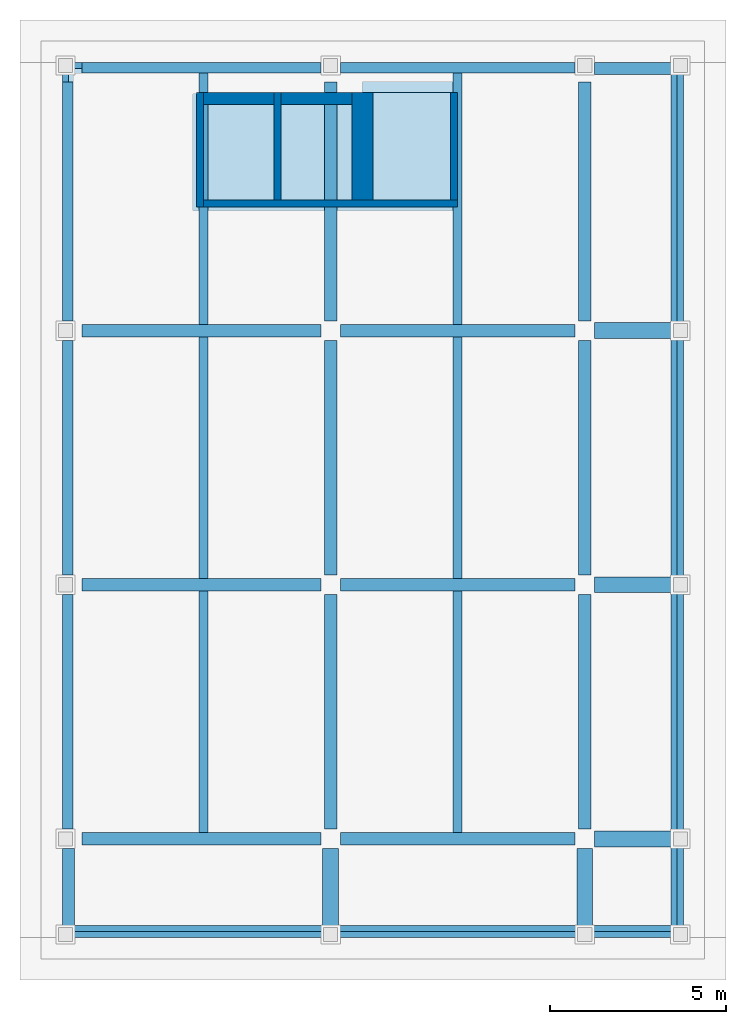
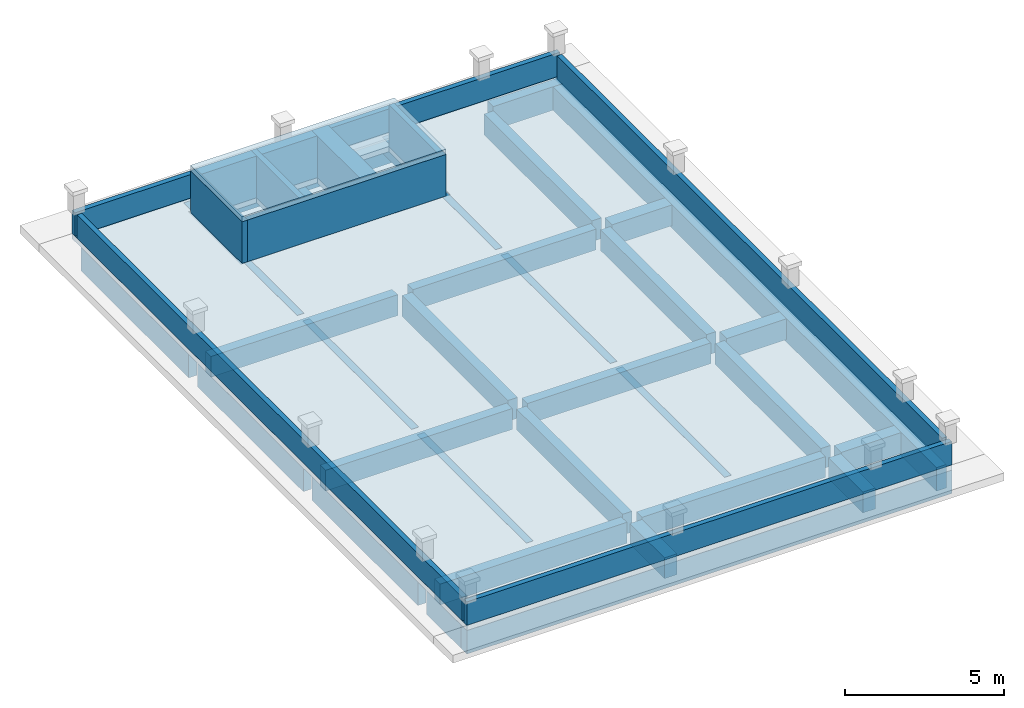
# One storey, part 1 of 2: 32 beams, 11 walls, 2 slabs.
"""IFC4 building model written with IfcOpenShell, lengths in metres."""

from ifc_helpers import new_model, si_unit, direction, frame, frame_2d, origin, origin_2d, place, context, subcontext, project, spatial, polyline, rectangle, outline, extrude, material, layer, layer_set, material_profile, profile_set, type_object, element, save


model = new_model("IFC4")

# Units and contexts
model_context = context("Model", 3, precision=1e-05, world=origin(), true_north=direction((0.0, 1.0)))
body_context = subcontext(model_context, "Body", "Model", "MODEL_VIEW")
ifc_project = project(units=[si_unit("LENGTHUNIT", "METRE"), si_unit("AREAUNIT", "SQUARE_METRE"), si_unit("VOLUMEUNIT", "CUBIC_METRE"), si_unit("PLANEANGLEUNIT", "RADIAN"), si_unit("MASSUNIT", "GRAM", prefix="KILO")], contexts=[model_context])

# Site, building, storey
site_placement = place(None, origin())
site = spatial("IfcSite", under=ifc_project, at=site_placement, CompositionType="ELEMENT")
building_placement = place(site_placement, origin())
building = spatial("IfcBuilding", under=site, at=building_placement, Name="Ussher Court Research Institute", CompositionType="ELEMENT")
storey_placement = place(building_placement, frame((0.0, 0.0, 45.60009765625)))
storey = spatial("IfcBuildingStorey", under=building, at=storey_placement, Name="ROOF", CompositionType="ELEMENT", Elevation=45.60009765625)

# Beams
ifc_material_1 = material(Name="Concrete C35/45", Category="concrete")
ifc_material_profile_1 = material_profile(ifc_material_1, rectangle(XDim=0.25, YDim=0.60009765625, at=origin_2d()), Name="RC 250x600")
ifc_profile_set_1 = profile_set([ifc_material_profile_1], Name="Concrete C35/45")
beam_type_1 = type_object("IfcBeamType", Name="RC 250x600 beam", PredefinedType="BEAM", material=ifc_profile_set_1)
for number, where, z_axis, x_axis, name in (
    (1, (85.800048828125, 11.375, -0.300048828125), (0.0, 1.0, 0.0), (-1.0, 0.0, 0.0), "B14 V4 ROOF-01"),
    (2, (85.800048828125, 18.574951171875, -0.300048828125), (0.0, 1.0, 0.0), (-1.0, 0.0, 0.0), "B14 V4 ROOF-02"),
):
    element("IfcBeam", number, at=place(storey_placement, frame(where, z_axis=z_axis, x_axis=x_axis)), inside=storey, type_object=beam_type_1, Name=name, PredefinedType="BEAM", context=body_context, shape_type="SweptSolid", body=[
        extrude(rectangle(XDim=0.25, YDim=0.60009765625, at=origin_2d()), origin(), (0.0, 0.0, 1.0), 6.85009765625),
    ])
beam_1_placement = place(storey_placement, frame((85.800048828125, 25.77490234375, -0.300048828125), z_axis=(0.0, 1.0, 0.0), x_axis=(-1.0, 0.0, 0.0)))
element("IfcBeam", 3, at=beam_1_placement, inside=storey, type_object=beam_type_1, Name="B14 V4 ROOF-03", PredefinedType="BEAM", context=body_context, shape_type="SweptSolid", body=[
    extrude(rectangle(XDim=0.25, YDim=0.60009765625, at=origin_2d()), origin(), (0.0, 0.0, 1.0), 7.125),
])
for number, where, z_axis, x_axis, name in (
    (4, (93.0, 11.375, -0.300048828125), (0.0, 1.0, 0.0), (-1.0, 0.0, 0.0), "B14 V4 ROOF-04"),
    (5, (93.0, 18.574951171875, -0.300048828125), (0.0, 1.0, 0.0), (-1.0, 0.0, 0.0), "B14 V4 ROOF-05"),
):
    element("IfcBeam", number, at=place(storey_placement, frame(where, z_axis=z_axis, x_axis=x_axis)), inside=storey, type_object=beam_type_1, Name=name, PredefinedType="BEAM", context=body_context, shape_type="SweptSolid", body=[
        extrude(rectangle(XDim=0.25, YDim=0.60009765625, at=origin_2d()), origin(), (0.0, 0.0, 1.0), 6.85009765625),
    ])
beam_2_placement = place(storey_placement, frame((93.0, 25.77490234375, -0.300048828125), z_axis=(0.0, 1.0, 0.0), x_axis=(-1.0, 0.0, 0.0)))
element("IfcBeam", 6, at=beam_2_placement, inside=storey, type_object=beam_type_1, Name="B14 V4 ROOF-06", PredefinedType="BEAM", context=body_context, shape_type="SweptSolid", body=[
    extrude(rectangle(XDim=0.25, YDim=0.60009765625, at=origin_2d()), origin(), (0.0, 0.0, 1.0), 7.125),
])
ifc_material_2 = material(Name="Concrete C35/45", Category="concrete")
ifc_material_profile_2 = material_profile(ifc_material_2, rectangle(XDim=0.300048828125, YDim=0.89990234375, at=origin_2d()), Name="RC 300x900")
ifc_profile_set_2 = profile_set([ifc_material_profile_2], Name="Concrete C35/45")
beam_type_2 = type_object("IfcBeamType", Name="RC 300x900 beam", PredefinedType="BEAM", material=ifc_profile_set_2)
beam_3_placement = place(storey_placement, frame((82.35009765625, 33.050048828125, -0.650146484375), z_axis=(1.0, 0.0, 0.0), x_axis=(0.0, 1.0, 0.0)))
element("IfcBeam", 7, at=beam_3_placement, inside=storey, type_object=beam_type_2, Name="SB2 V4 ROOF-01", PredefinedType="BEAM", context=body_context, shape_type="SweptSolid", body=[
    extrude(rectangle(XDim=0.300048828125, YDim=0.89990234375, at=origin_2d()), origin(), (0.0, 0.0, 1.0), 6.77490234375),
])
for number, where, z_axis, x_axis, name in (
    (8, (89.675048828125, 33.050048828125, -0.650146484375), (1.0, 0.0, 0.0), (0.0, 1.0, 0.0), "SB2 V4 ROOF-02"),
    (9, (81.949951171875, 11.47509765625, -0.650146484375), (0.0, 1.0, 0.0), (-1.0, 0.0, 0.0), "SB2 V4 ROOF-03"),
    (10, (81.949951171875, 18.675048828125, -0.650146484375), (0.0, 1.0, 0.0), (-1.0, 0.0, 0.0), "SB2 V4 ROOF-04"),
):
    element("IfcBeam", number, at=place(storey_placement, frame(where, z_axis=z_axis, x_axis=x_axis)), inside=storey, type_object=beam_type_2, Name=name, PredefinedType="BEAM", context=body_context, shape_type="SweptSolid", body=[
        extrude(rectangle(XDim=0.300048828125, YDim=0.89990234375, at=origin_2d()), origin(), (0.0, 0.0, 1.0), 6.64990234375),
    ])
beam_4_placement = place(storey_placement, frame((81.949951171875, 25.875, -0.650146484375), z_axis=(0.0, 1.0, 0.0), x_axis=(-1.0, 0.0, 0.0)))
element("IfcBeam", 11, at=beam_4_placement, inside=storey, type_object=beam_type_2, Name="SB2 V4 ROOF-05", PredefinedType="BEAM", context=body_context, shape_type="SweptSolid", body=[
    extrude(rectangle(XDim=0.300048828125, YDim=0.89990234375, at=origin_2d()), origin(), (0.0, 0.0, 1.0), 6.77490234375),
])
ifc_material_3 = material(Name="Concrete C35/45", Category="concrete")
ifc_material_profile_3 = material_profile(ifc_material_3, rectangle(XDim=0.35009765625, YDim=0.800048828125, at=origin_2d()), Name="RC 350x800")
ifc_profile_set_3 = profile_set([ifc_material_profile_3], Name="Concrete C35/45")
beam_type_3 = type_object("IfcBeamType", Name="RC 350x800 beam", PredefinedType="BEAM", material=ifc_profile_set_3)
beam_5_placement = place(storey_placement, frame((82.35009765625, 11.199951171875, -0.60009765625), z_axis=(1.0, 0.0, 0.0), x_axis=(0.0, 1.0, 0.0)))
element("IfcBeam", 12, at=beam_5_placement, inside=storey, type_object=beam_type_3, Name="B6 V4 ROOF-01", PredefinedType="BEAM", context=body_context, shape_type="SweptSolid", body=[
    extrude(rectangle(XDim=0.35009765625, YDim=0.800048828125, at=origin_2d()), origin(), (0.0, 0.0, 1.0), 6.77490234375),
])
beam_6_placement = place(storey_placement, frame((89.675048828125, 11.199951171875, -0.60009765625), z_axis=(1.0, 0.0, 0.0), x_axis=(0.0, 1.0, 0.0)))
element("IfcBeam", 13, at=beam_6_placement, inside=storey, type_object=beam_type_3, Name="B6 V4 ROOF-02", PredefinedType="BEAM", context=body_context, shape_type="SweptSolid", body=[
    extrude(rectangle(XDim=0.35009765625, YDim=0.800048828125, at=origin_2d()), origin(), (0.0, 0.0, 1.0), 6.64990234375),
])
beam_7_placement = place(storey_placement, frame((82.35009765625, 18.39990234375, -0.60009765625), z_axis=(1.0, 0.0, 0.0), x_axis=(0.0, 1.0, 0.0)))
element("IfcBeam", 14, at=beam_7_placement, inside=storey, type_object=beam_type_3, Name="B6 V4 ROOF-03", PredefinedType="BEAM", context=body_context, shape_type="SweptSolid", body=[
    extrude(rectangle(XDim=0.35009765625, YDim=0.800048828125, at=origin_2d()), origin(), (0.0, 0.0, 1.0), 6.77490234375),
])
beam_8_placement = place(storey_placement, frame((89.675048828125, 18.39990234375, -0.60009765625), z_axis=(1.0, 0.0, 0.0), x_axis=(0.0, 1.0, 0.0)))
element("IfcBeam", 15, at=beam_8_placement, inside=storey, type_object=beam_type_3, Name="B6 V4 ROOF-04", PredefinedType="BEAM", context=body_context, shape_type="SweptSolid", body=[
    extrude(rectangle(XDim=0.35009765625, YDim=0.800048828125, at=origin_2d()), origin(), (0.0, 0.0, 1.0), 6.64990234375),
])
beam_9_placement = place(storey_placement, frame((82.35009765625, 25.60009765625, -0.60009765625), z_axis=(1.0, 0.0, 0.0), x_axis=(0.0, 1.0, 0.0)))
element("IfcBeam", 16, at=beam_9_placement, inside=storey, type_object=beam_type_3, Name="B6 V4 ROOF-05", PredefinedType="BEAM", context=body_context, shape_type="SweptSolid", body=[
    extrude(rectangle(XDim=0.35009765625, YDim=0.800048828125, at=origin_2d()), origin(), (0.0, 0.0, 1.0), 6.77490234375),
])
for number, where, z_axis, x_axis, name in (
    (17, (89.675048828125, 25.60009765625, -0.60009765625), (1.0, 0.0, 0.0), (0.0, 1.0, 0.0), "B6 V4 ROOF-06"),
    (18, (89.39990234375, 11.47509765625, -0.60009765625), (0.0, 1.0, 0.0), (-1.0, 0.0, 0.0), "B6 V4 ROOF-07"),
    (19, (89.39990234375, 18.675048828125, -0.60009765625), (0.0, 1.0, 0.0), (-1.0, 0.0, 0.0), "B6 V4 ROOF-08"),
):
    element("IfcBeam", number, at=place(storey_placement, frame(where, z_axis=z_axis, x_axis=x_axis)), inside=storey, type_object=beam_type_3, Name=name, PredefinedType="BEAM", context=body_context, shape_type="SweptSolid", body=[
        extrude(rectangle(XDim=0.35009765625, YDim=0.800048828125, at=origin_2d()), origin(), (0.0, 0.0, 1.0), 6.64990234375),
    ])
beam_10_placement = place(storey_placement, frame((89.39990234375, 25.875, -0.60009765625), z_axis=(0.0, 1.0, 0.0), x_axis=(-1.0, 0.0, 0.0)))
element("IfcBeam", 20, at=beam_10_placement, inside=storey, type_object=beam_type_3, Name="B6 V4 ROOF-09", PredefinedType="BEAM", context=body_context, shape_type="SweptSolid", body=[
    extrude(rectangle(XDim=0.35009765625, YDim=0.800048828125, at=origin_2d()), origin(), (0.0, 0.0, 1.0), 6.77490234375),
])
for number, where, z_axis, x_axis, name in (
    (21, (96.60009765625, 11.47509765625, -0.60009765625), (0.0, 1.0, 0.0), (-1.0, 0.0, 0.0), "B6 V4 ROOF-10"),
    (22, (96.60009765625, 18.675048828125, -0.60009765625), (0.0, 1.0, 0.0), (-1.0, 0.0, 0.0), "B6 V4 ROOF-11"),
):
    element("IfcBeam", number, at=place(storey_placement, frame(where, z_axis=z_axis, x_axis=x_axis)), inside=storey, type_object=beam_type_3, Name=name, PredefinedType="BEAM", context=body_context, shape_type="SweptSolid", body=[
        extrude(rectangle(XDim=0.35009765625, YDim=0.800048828125, at=origin_2d()), origin(), (0.0, 0.0, 1.0), 6.64990234375),
    ])
beam_11_placement = place(storey_placement, frame((96.60009765625, 25.875, -0.60009765625), z_axis=(0.0, 1.0, 0.0), x_axis=(-1.0, 0.0, 0.0)))
element("IfcBeam", 23, at=beam_11_placement, inside=storey, type_object=beam_type_3, Name="B6 V4 ROOF-12", PredefinedType="BEAM", context=body_context, shape_type="SweptSolid", body=[
    extrude(rectangle(XDim=0.35009765625, YDim=0.800048828125, at=origin_2d()), origin(), (0.0, 0.0, 1.0), 6.77490234375),
])
ifc_material_4 = material(Name="Concrete C35/45", Category="concrete")
ifc_material_profile_4 = material_profile(ifc_material_4, rectangle(XDim=0.35009765625, YDim=0.89990234375, at=origin_2d()), Name="RC 350x900")
ifc_profile_set_4 = profile_set([ifc_material_profile_4], Name="Concrete C35/45")
beam_type_4 = type_object("IfcBeamType", Name="RC 350x900 beam", PredefinedType="BEAM", material=ifc_profile_set_4)
beam_12_placement = place(storey_placement, frame((96.875, 33.02490234375, -0.650146484375), z_axis=(1.0, 0.0, 0.0), x_axis=(0.0, 1.0, 0.0)))
element("IfcBeam", 24, at=beam_12_placement, inside=storey, type_object=beam_type_4, Name="SB1 V4 ROOF-01", PredefinedType="BEAM", context=body_context, shape_type="SweptSolid", body=[
    extrude(rectangle(XDim=0.35009765625, YDim=0.89990234375, at=origin_2d()), origin(), (0.0, 0.0, 1.0), 2.52490234375),
])
beam_13_placement = place(storey_placement, frame((81.97509765625, 8.75, -0.650146484375), z_axis=(0.0, 1.0, 0.0), x_axis=(-1.0, 0.0, 0.0)))
element("IfcBeam", 25, at=beam_13_placement, inside=storey, type_object=beam_type_4, Name="SB1 V4 ROOF-02", PredefinedType="BEAM", context=body_context, shape_type="SweptSolid", body=[
    extrude(rectangle(XDim=0.35009765625, YDim=0.89990234375, at=origin_2d()), origin(), (0.0, 0.0, 1.0), 2.175048828125),
])
beam_14_placement = place(storey_placement, frame((81.800048828125, 8.574951171875, -0.650146484375), z_axis=(1.0, 0.0, 0.0), x_axis=(0.0, 1.0, 0.0)))
element("IfcBeam", 26, at=beam_14_placement, inside=storey, type_object=beam_type_4, Name="SB1 V4 ROOF-03", PredefinedType="BEAM", context=body_context, shape_type="SweptSolid", body=[
    extrude(rectangle(XDim=0.35009765625, YDim=0.89990234375, at=origin_2d()), origin(), (0.0, 0.0, 1.0), 17.599853515625),
])
beam_15_placement = place(storey_placement, frame((99.22509765625, 8.75, -0.650146484375), z_axis=(0.0, 1.0, 0.0), x_axis=(-1.0, 0.0, 0.0)))
element("IfcBeam", 27, at=beam_15_placement, inside=storey, type_object=beam_type_4, Name="SB1 V4 ROOF-04", PredefinedType="BEAM", context=body_context, shape_type="SweptSolid", body=[
    extrude(rectangle(XDim=0.35009765625, YDim=0.89990234375, at=origin_2d()), origin(), (0.0, 0.0, 1.0), 24.10009765625),
])
ifc_material_5 = material(Name="Concrete C35/45", Category="concrete")
ifc_material_profile_5 = material_profile(ifc_material_5, rectangle(XDim=0.449951171875, YDim=0.800048828125, at=origin_2d()), Name="RC 450x800")
ifc_profile_set_5 = profile_set([ifc_material_profile_5], Name="Concrete C35/45")
beam_type_5 = type_object("IfcBeamType", Name="RC 450x800 beam", PredefinedType="BEAM", material=ifc_profile_set_5)
for number, where, z_axis, x_axis, name in (
    (28, (96.875, 11.199951171875, -0.60009765625), (1.0, 0.0, 0.0), (0.0, 1.0, 0.0), "B11 V4 ROOF-01"),
    (29, (96.875, 18.39990234375, -0.60009765625), (1.0, 0.0, 0.0), (0.0, 1.0, 0.0), "B11 V4 ROOF-02"),
    (30, (96.875, 25.60009765625, -0.60009765625), (1.0, 0.0, 0.0), (0.0, 1.0, 0.0), "B11 V4 ROOF-03"),
    (31, (89.39990234375, 8.75, -0.60009765625), (0.0, 1.0, 0.0), (-1.0, 0.0, 0.0), "B11 V4 ROOF-04"),
    (32, (96.60009765625, 8.75, -0.60009765625), (0.0, 1.0, 0.0), (-1.0, 0.0, 0.0), "B11 V4 ROOF-05"),
):
    element("IfcBeam", number, at=place(storey_placement, frame(where, z_axis=z_axis, x_axis=x_axis)), inside=storey, type_object=beam_type_5, Name=name, PredefinedType="BEAM", context=body_context, shape_type="SweptSolid", body=[
        extrude(rectangle(XDim=0.449951171875, YDim=0.800048828125, at=origin_2d()), origin(), (0.0, 0.0, 1.0), 2.175048828125),
    ])

# Slabs
ifc_material_6 = material(Name="Concrete C35/45", Category="concrete")
ifc_layer_1 = layer(ifc_material_6, 0.199951171875)
ifc_layer_set_1 = layer_set([ifc_layer_1], Name="Concrete C35/45")
slab_type_1 = type_object("IfcSlabType", Name="Core roof slab 200 RC", PredefinedType="ROOF", material=ifc_layer_set_1)
slab_1_placement = place(storey_placement, frame((0.0, 0.0, 1.599853515625)))
element("IfcSlab", 33, at=slab_1_placement, inside=storey, type_object=slab_type_1, Name="Core roof slab", PredefinedType="ROOF", context=body_context, shape_type="SweptSolid", body=[
    extrude(outline(polyline([(93.0, 29.10009765625), (93.0, 32.35009765625), (85.60009765625, 32.35009765625), (85.60009765625, 29.10009765625), (93.0, 29.10009765625)])), origin(), (0.0, 0.0, 1.0), 0.199951171875),
])
ifc_material_7 = material(Name="Concrete C35/45", Category="concrete")
ifc_layer_2 = layer(ifc_material_7, 0.199951171875)
ifc_layer_set_2 = layer_set([ifc_layer_2], Name="Concrete C35/45")
slab_type_2 = type_object("IfcSlabType", Name="Roof slab 200", PredefinedType="ROOF", material=ifc_layer_set_2)
slab_2_placement = place(storey_placement, frame((0.0, 0.0, -0.2001953125)))
element("IfcSlab", 34, at=slab_2_placement, inside=storey, type_object=slab_type_2, Name="RS200 V4 ROOF-01", PredefinedType="ROOF", context=body_context, shape_type="SweptSolid", body=[
    extrude(outline(polyline([(81.800048828125, 8.39990234375), (99.39990234375, 8.39990234375), (99.39990234375, 33.199951171875), (81.800048828125, 33.199951171875), (81.800048828125, 8.39990234375)]), holes=[polyline([(85.800048828125, 29.300048828125), (85.800048828125, 32.0), (87.800048828125, 32.0), (87.800048828125, 29.300048828125), (85.800048828125, 29.300048828125)]), polyline([(88.0, 32.0), (90.0, 32.0), (90.0, 29.300048828125), (88.0, 29.300048828125), (88.0, 32.0)]), polyline([(90.60009765625, 32.35009765625), (92.800048828125, 32.35009765625), (92.800048828125, 29.300048828125), (90.60009765625, 29.300048828125), (90.60009765625, 32.35009765625)])]), origin(), (0.0, 0.0, 1.0), 0.2001953125),
])

# Walls
ifc_material_8 = material(Name="Blockwork with cream render", Category="masonry")
ifc_layer_3 = layer(ifc_material_8, 0.179931640625)
ifc_layer_set_3 = layer_set([ifc_layer_3], Name="Blockwork with cream render")
wall_type_1 = type_object("IfcWallType", Name="Parapet 180 cream render", PredefinedType="PARAPET", material=ifc_layer_set_3)
wall_1_placement = place(storey_placement, frame((81.800048828125, 8.489990234375, 0.0), z_axis=(0.0, 0.0, 1.0), x_axis=(1.0, 0.0, 0.0)))
element("IfcWall", 35, at=wall_1_placement, inside=storey, type_object=wall_type_1, Name="Parapet PW1", PredefinedType="PARAPET", context=body_context, shape_type="SweptSolid", body=[
    extrude(rectangle(XDim=17.599853515625, YDim=0.179931640625, at=frame_2d((8.7998046875, 0.0))), origin(), (0.0, 0.0, 1.0), 0.89990234375),
])
wall_2_placement = place(storey_placement, frame((99.31005859375, 8.699951171875, 0.0), z_axis=(0.0, 0.0, 1.0), x_axis=(0.0, 1.0, 0.0)))
element("IfcWall", 36, at=wall_2_placement, inside=storey, type_object=wall_type_1, Name="Parapet PW1", PredefinedType="PARAPET", context=body_context, shape_type="SweptSolid", body=[
    extrude(rectangle(XDim=24.199951171875, YDim=0.179931640625, at=frame_2d((12.10009765625, 0.0))), origin(), (0.0, 0.0, 1.0), 0.89990234375),
])
wall_3_placement = place(storey_placement, frame((99.39990234375, 33.110107421875, 0.0), z_axis=(0.0, 0.0, 1.0), x_axis=(-1.0, 0.0, 0.0)))
element("IfcWall", 37, at=wall_3_placement, inside=storey, type_object=wall_type_1, Name="Parapet PW1", PredefinedType="PARAPET", context=body_context, shape_type="SweptSolid", body=[
    extrude(rectangle(XDim=17.599853515625, YDim=0.179931640625, at=frame_2d((8.7998046875, 0.0))), origin(), (0.0, 0.0, 1.0), 0.89990234375),
])
wall_4_placement = place(storey_placement, frame((81.889892578125, 32.89990234375, 0.0), z_axis=(0.0, 0.0, 1.0), x_axis=(0.0, -1.0, 0.0)))
element("IfcWall", 38, at=wall_4_placement, inside=storey, type_object=wall_type_1, Name="Parapet PW1", PredefinedType="PARAPET", context=body_context, shape_type="SweptSolid", body=[
    extrude(rectangle(XDim=24.199951171875, YDim=0.179931640625, at=frame_2d((12.10009765625, 0.0))), origin(), (0.0, 0.0, 1.0), 0.89990234375),
])
ifc_material_9 = material(Name="Concrete C35/45", Category="concrete")
ifc_layer_4 = layer(ifc_material_9, 0.199951171875)
ifc_layer_set_4 = layer_set([ifc_layer_4], Name="Concrete C35/45")
wall_type_2 = type_object("IfcWallType", Name="RC core wall 200", PredefinedType="SHEAR", material=ifc_layer_set_4)
wall_5_placement = place(storey_placement, frame((85.800048828125, 29.199951171875, 0.0), z_axis=(0.0, 0.0, 1.0), x_axis=(1.0, 0.0, 0.0)))
element("IfcWall", 39, at=wall_5_placement, inside=storey, type_object=wall_type_2, Name="Lift overrun wall T1", PredefinedType="SHEAR", context=body_context, shape_type="SweptSolid", body=[
    extrude(rectangle(XDim=7.199951171875, YDim=0.199951171875, at=frame_2d((3.60009765625, 0.0))), origin(), (0.0, 0.0, 1.0), 1.599853515625),
])
for number, where, z_axis, x_axis, name in (
    (40, (87.89990234375, 29.300048828125, 0.0), (0.0, 0.0, 1.0), (0.0, 1.0, 0.0), "Lift overrun wall T1"),
    (41, (92.89990234375, 29.300048828125, 0.0), (0.0, 0.0, 1.0), (0.0, 1.0, 0.0), "Lift overrun wall T1"),
):
    element("IfcWall", number, at=place(storey_placement, frame(where, z_axis=z_axis, x_axis=x_axis)), inside=storey, type_object=wall_type_2, Name=name, PredefinedType="SHEAR", context=body_context, shape_type="SweptSolid", body=[
        extrude(rectangle(XDim=3.050048828125, YDim=0.199951171875, at=frame_2d((1.52490234375, 0.0))), origin(), (0.0, 0.0, 1.0), 1.599853515625),
    ])
wall_6_placement = place(storey_placement, frame((85.699951171875, 29.10009765625, 0.0), z_axis=(0.0, 0.0, 1.0), x_axis=(0.0, 1.0, 0.0)))
element("IfcWall", 42, at=wall_6_placement, inside=storey, type_object=wall_type_2, Name="Lift overrun wall T1", PredefinedType="SHEAR", context=body_context, shape_type="SweptSolid", body=[
    extrude(rectangle(XDim=3.25, YDim=0.199951171875, at=frame_2d((1.625, 0.0))), origin(), (0.0, 0.0, 1.0), 1.599853515625),
])
ifc_material_10 = material(Name="Concrete C35/45", Category="concrete")
ifc_layer_5 = layer(ifc_material_10, 0.35009765625)
ifc_layer_set_5 = layer_set([ifc_layer_5], Name="Concrete C35/45")
wall_type_3 = type_object("IfcWallType", Name="RC core wall 350", PredefinedType="SHEAR", material=ifc_layer_set_5)
for number, where, z_axis, x_axis, name in (
    (43, (85.800048828125, 32.175048828125, 0.0), (0.0, 0.0, 1.0), (1.0, 0.0, 0.0), "Lift overrun wall T1"),
    (44, (88.0, 32.175048828125, 0.0), (0.0, 0.0, 1.0), (1.0, 0.0, 0.0), "Lift overrun wall T1"),
):
    element("IfcWall", number, at=place(storey_placement, frame(where, z_axis=z_axis, x_axis=x_axis)), inside=storey, type_object=wall_type_3, Name=name, PredefinedType="SHEAR", context=body_context, shape_type="SweptSolid", body=[
        extrude(rectangle(XDim=2.0, YDim=0.35009765625, at=frame_2d((1.0, 0.0))), origin(), (0.0, 0.0, 1.0), 1.599853515625),
    ])
ifc_material_11 = material(Name="Concrete C35/45", Category="concrete")
ifc_layer_6 = layer(ifc_material_11, 0.60009765625)
ifc_layer_set_6 = layer_set([ifc_layer_6], Name="Concrete C35/45")
wall_type_4 = type_object("IfcWallType", Name="RC core wall 600", PredefinedType="SHEAR", material=ifc_layer_set_6)
wall_7_placement = place(storey_placement, frame((90.300048828125, 29.300048828125, 0.0), z_axis=(0.0, 0.0, 1.0), x_axis=(0.0, 1.0, 0.0)))
element("IfcWall", 45, at=wall_7_placement, inside=storey, type_object=wall_type_4, Name="Lift overrun wall T1", PredefinedType="SHEAR", context=body_context, shape_type="SweptSolid", body=[
    extrude(rectangle(XDim=3.050048828125, YDim=0.60009765625, at=frame_2d((1.52490234375, 0.0))), origin(), (0.0, 0.0, 1.0), 1.599853515625),
])

save(model, "model.ifc")
